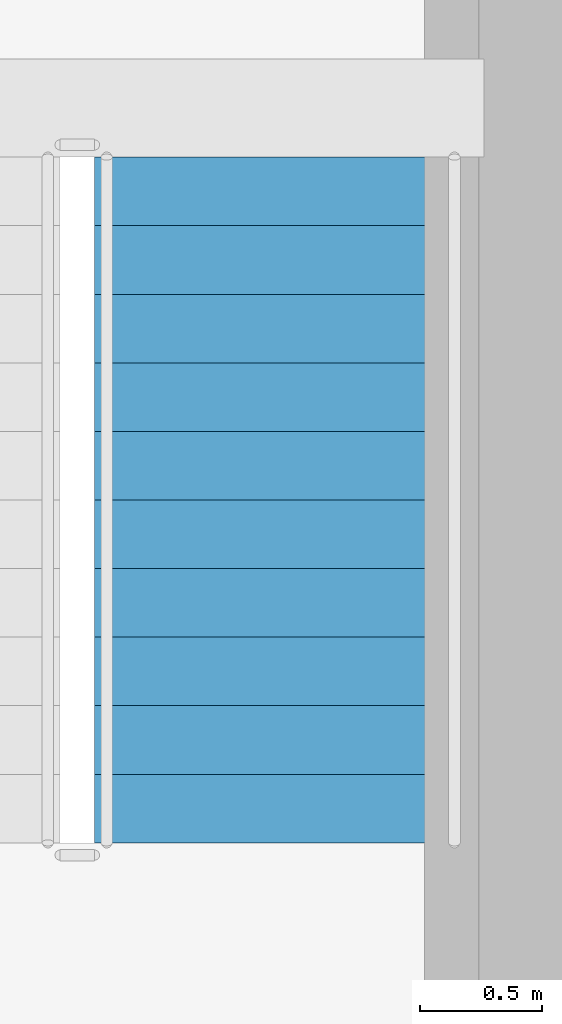
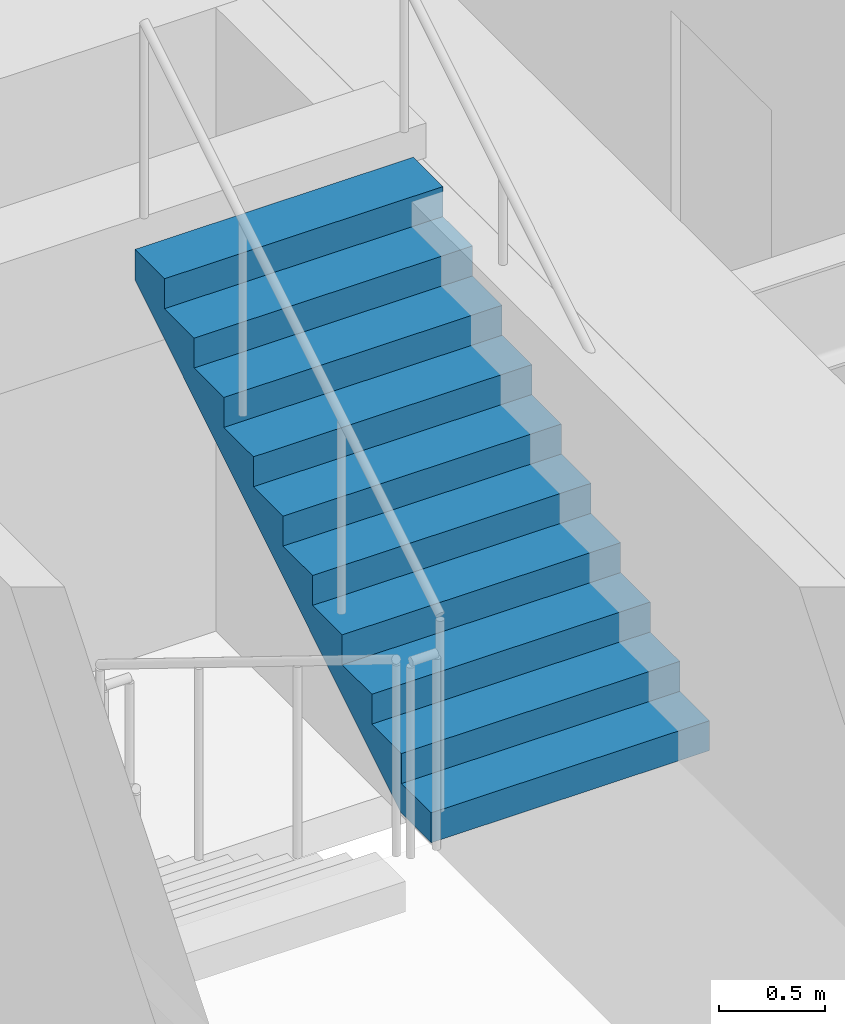
# One storey, part 14 of 17: 1 stair flight, 1 element without a shape of its own.
"""IFC4 building model written with IfcOpenShell, lengths in metres."""

from ifc_helpers import new_model, si_unit, direction, frame, origin, place, context, subcontext, project, spatial, polyline, outline, extrude, material, type_object, element, aggregate, save


model = new_model("IFC4")

# Units and contexts
model_context = context("Model", 3, precision=1e-05, world=origin(), true_north=direction((0.0, 1.0)))
body_context = subcontext(model_context, "Body", "Model", "MODEL_VIEW")
ifc_project = project(units=[si_unit("LENGTHUNIT", "METRE"), si_unit("AREAUNIT", "SQUARE_METRE"), si_unit("VOLUMEUNIT", "CUBIC_METRE"), si_unit("PLANEANGLEUNIT", "RADIAN"), si_unit("MASSUNIT", "GRAM", prefix="KILO")], contexts=[model_context])

# Site, building, storey
site_placement = place(None, origin())
site = spatial("IfcSite", under=ifc_project, at=site_placement, CompositionType="ELEMENT")
building_placement = place(site_placement, origin())
building = spatial("IfcBuilding", under=site, at=building_placement, Name="Haolan Belvedere Tower", CompositionType="ELEMENT")
storey_placement = place(building_placement, frame((0.0, 0.0, 81.800048828125)))
storey = spatial("IfcBuildingStorey", under=building, at=storey_placement, Name="L20", CompositionType="ELEMENT", Elevation=81.800048828125)

# Stair, stair flight
ifc_material = material(Name="Concrete C40/50", Category="concrete")
stair_type = type_object("IfcStairType", Name="STR-DL-22R-173", PredefinedType="HALF_TURN_STAIR", material=ifc_material)
stair_placement = place(storey_placement, origin())
stair = element("IfcStair", 1, at=stair_placement, inside=storey, type_object=stair_type, Name="L20 Smokeproof Core Exit Stair ST2", PredefinedType="HALF_TURN_STAIR")
stair_flight_type = type_object("IfcStairFlightType", Name="SFL-DL-11R-173", PredefinedType="STRAIGHT", material=ifc_material)
stair_flight_placement = place(storey_placement, frame((45.590087890625, 38.429931640625, 1.89990234375), z_axis=(0.0, 0.0, 1.0), x_axis=(0.0, 1.0, 0.0)))
stair_flight = element("IfcStairFlight", 2, at=stair_flight_placement, type_object=stair_flight_type, Name="ST2 flight 2", NumberOfRisers=11, NumberOfTreads=10, PredefinedType="STRAIGHT", RiserHeight=0.172727273, TreadLength=0.28, context=body_context, shape_type="SweptSolid", body=[
    extrude(outline(polyline([(0.0, 0.0), (0.0, 0.172607421875), (0.280029296875, 0.172607421875), (0.280029296875, 0.345458984375), (0.56005859375, 0.345458984375), (0.56005859375, 0.51806640625), (0.840087890625, 0.51806640625), (0.840087890625, 0.69091796875), (1.1201171875, 0.69091796875), (1.1201171875, 0.863525390625), (1.39990234375, 0.863525390625), (1.39990234375, 1.036376953125), (1.679931640625, 1.036376953125), (1.679931640625, 1.208984375), (1.9599609375, 1.208984375), (1.9599609375, 1.3818359375), (2.239990234375, 1.3818359375), (2.239990234375, 1.554443359375), (2.52001953125, 1.554443359375), (2.52001953125, 1.727294921875), (2.800048828125, 1.727294921875), (2.800048828125, 1.89990234375), (2.800048828125, 1.551025390625), (0.285400390625, 0.0), (0.0, 0.0)])), frame((0.0, 0.760009765625, 0.0), z_axis=(0.0, -1.0, 0.0), x_axis=(1.0, 0.0, 0.0)), (0.0, 0.0, 1.0), 1.52001953125),
])
aggregate(stair, [stair_flight])

save(model, "model.ifc")
